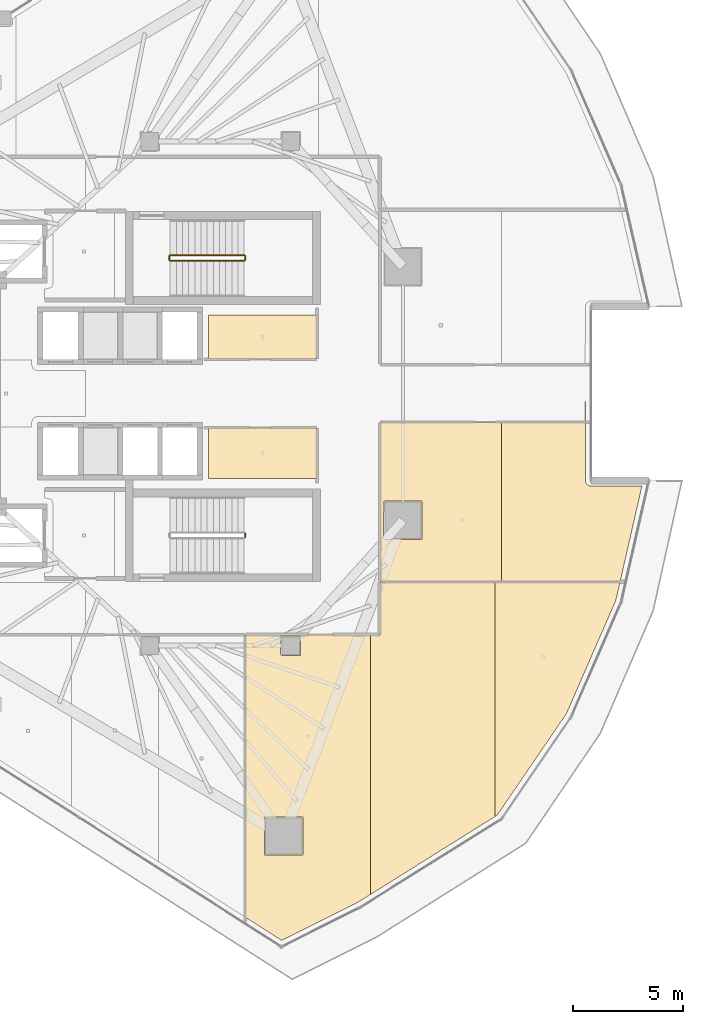
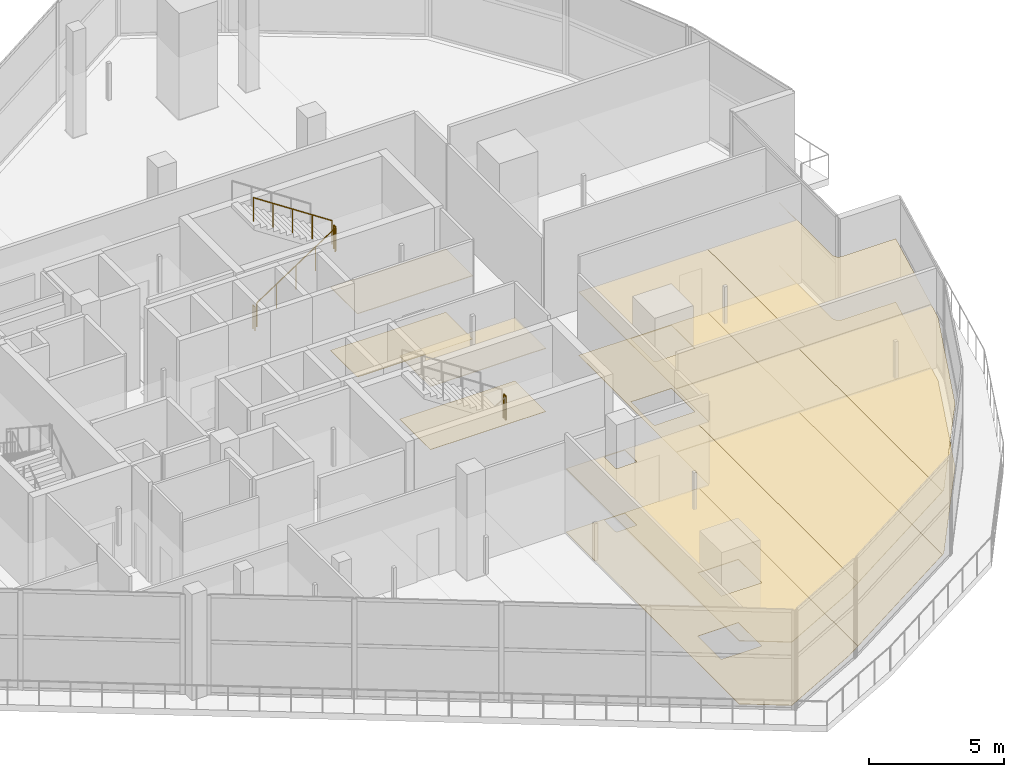
# One storey, part 34 of 36: 14 coverings, 5 railings.
"""IFC4 building model written with IfcOpenShell, lengths in metres."""

from ifc_helpers import new_model, si_unit, direction, frame, origin, origin_2d, place, context, subcontext, project, spatial, polyline, circle, outline, extrude, material, layer, layer_set, type_object, element, save


model = new_model("IFC4")

# Units and contexts
model_context = context("Model", 3, precision=1e-05, world=origin(), true_north=direction((0.0, 1.0)))
body_context = subcontext(model_context, "Body", "Model", "MODEL_VIEW")
ifc_project = project(units=[si_unit("LENGTHUNIT", "METRE"), si_unit("AREAUNIT", "SQUARE_METRE"), si_unit("VOLUMEUNIT", "CUBIC_METRE"), si_unit("PLANEANGLEUNIT", "RADIAN"), si_unit("MASSUNIT", "GRAM", prefix="KILO")], contexts=[model_context])

# Site, building, storey
site_placement = place(None, origin())
site = spatial("IfcSite", under=ifc_project, at=site_placement, CompositionType="ELEMENT")
building_placement = place(site_placement, origin())
building = spatial("IfcBuilding", under=site, at=building_placement, Name="Qorvath Tower", CompositionType="ELEMENT")
storey_placement = place(building_placement, frame((0.0, 0.0, 255.0)))
storey = spatial("IfcBuildingStorey", under=building, at=storey_placement, Name="L59", CompositionType="ELEMENT", Elevation=255.0)

# Coverings
ifc_material_1 = material(Name="Acoustic mineral fibre ceiling tile", Category="gypsum")
ifc_layer_1 = layer(ifc_material_1, 0.030029296875)
ifc_layer_set_1 = layer_set([ifc_layer_1], Name="COV-CEIL")
covering_type_1 = type_object("IfcCoveringType", Name="COV-CEIL", PredefinedType="CEILING", material=ifc_layer_set_1)
covering_1_placement = place(storey_placement, frame((0.0, 0.0, 2.85009765625)))
element("IfcCovering", 1, at=covering_1_placement, inside=storey, type_object=covering_type_1, Name="L59 Suspended Acoustic Ceiling 003", PredefinedType="CEILING", context=body_context, shape_type="SweptSolid", body=[
    extrude(outline(polyline([(-16.0048828125, 3.56005859375), (-20.93994140625, 3.56005859375), (-20.93994140625, 1.56494140625), (-16.0048828125, 1.56494140625), (-16.0048828125, 3.56005859375)])), origin(), (0.0, 0.0, 1.0), 0.030029296875),
])
covering_2_placement = place(storey_placement, frame((0.0, 0.0, 2.85009765625)))
element("IfcCovering", 2, at=covering_2_placement, inside=storey, type_object=covering_type_1, Name="L59 Suspended Acoustic Ceiling 004", PredefinedType="CEILING", context=body_context, shape_type="SweptSolid", body=[
    extrude(outline(polyline([(-20.93994140625, -1.56494140625), (-20.93994140625, -3.85009765625), (-16.0048828125, -3.85009765625), (-16.0048828125, -1.56494140625), (-20.93994140625, -1.56494140625)])), origin(), (0.0, 0.0, 1.0), 0.030029296875),
])
covering_3_placement = place(storey_placement, frame((0.0, 0.0, 2.85009765625)))
element("IfcCovering", 3, at=covering_3_placement, inside=storey, type_object=covering_type_1, Name="L59 Suspended Acoustic Ceiling 022", PredefinedType="CEILING", context=body_context, shape_type="SweptSolid", body=[
    extrude(outline(polyline([(-17.605224609375, -24.845458984375), (-14.154296875, -23.1201171875), (-13.576171875, -22.75830078125), (-13.576171875, -10.962890625), (-19.247802734375, -10.962890625), (-19.247802734375, -23.795654296875), (-17.605224609375, -24.845458984375)]), holes=[polyline([(-18.3828125, -20.968994140625), (-18.3828125, -19.234130859375), (-16.648193359375, -19.234130859375), (-16.648193359375, -20.968994140625), (-18.3828125, -20.968994140625)]), polyline([(-17.659912109375, -11.85009765625), (-17.642333984375, -11.007568359375), (-16.757568359375, -11.007568359375), (-16.757568359375, -11.892333984375), (-17.60009765625, -11.909912109375), (-17.659912109375, -11.85009765625)])]), origin(), (0.0, 0.0, 1.0), 0.030029296875),
])
covering_4_placement = place(storey_placement, frame((0.0, 0.0, 2.85009765625)))
element("IfcCovering", 4, at=covering_4_placement, inside=storey, type_object=covering_type_1, Name="L59 Suspended Acoustic Ceiling 023", PredefinedType="CEILING", context=body_context, shape_type="SweptSolid", body=[
    extrude(outline(polyline([(-13.576171875, -10.962890625), (-13.576171875, -22.75830078125), (-7.904541015625, -19.20947265625), (-7.904541015625, -8.554931640625), (-13.136962890625, -8.554931640625), (-13.14208984375, -10.962890625), (-13.576171875, -10.962890625)])), origin(), (0.0, 0.0, 1.0), 0.030029296875),
])
covering_5_placement = place(storey_placement, frame((0.0, 0.0, 2.85009765625)))
element("IfcCovering", 5, at=covering_5_placement, inside=storey, type_object=covering_type_1, Name="L59 Suspended Acoustic Ceiling 024", PredefinedType="CEILING", context=body_context, shape_type="SweptSolid", body=[
    extrude(outline(polyline([(-7.904541015625, -8.554931640625), (-7.904541015625, -19.20947265625), (-7.81103515625, -19.15087890625), (-4.6669921875, -14.536865234375), (-2.423583984375, -9.391845703125), (-2.23291015625, -8.554931640625), (-7.904541015625, -8.554931640625)])), origin(), (0.0, 0.0, 1.0), 0.030029296875),
])
covering_6_placement = place(storey_placement, frame((0.0, 0.0, 2.85009765625)))
element("IfcCovering", 6, at=covering_6_placement, inside=storey, type_object=covering_type_1, Name="L59 Suspended Acoustic Ceiling 025", PredefinedType="CEILING", context=body_context, shape_type="SweptSolid", body=[
    extrude(outline(polyline([(-7.620361328125, -8.537109375), (-7.620361328125, -1.31298828125), (-13.136962890625, -1.31298828125), (-13.136962890625, -8.537109375), (-7.620361328125, -8.537109375)]), holes=[polyline([(-12.981689453125, -6.5830078125), (-12.964111328125, -4.890380859375), (-11.2294921875, -4.890380859375), (-11.2294921875, -6.625244140625), (-12.921875, -6.642822265625), (-12.981689453125, -6.5830078125)])]), origin(), (0.0, 0.0, 1.0), 0.030029296875),
])
covering_7_placement = place(storey_placement, frame((0.0, 0.0, 2.85009765625)))
element("IfcCovering", 7, at=covering_7_placement, inside=storey, type_object=covering_type_1, Name="L59 Suspended Acoustic Ceiling 026", PredefinedType="CEILING", context=body_context, shape_type="SweptSolid", body=[
    extrude(outline(polyline([(-3.719970703125, -4.148681640625), (-3.80712890625, -4.00146484375), (-3.81103515625, -0.006103515625), (-3.8291015625, -1.31298828125), (-7.620361328125, -1.31298828125), (-7.620361328125, -8.537109375), (-2.228759765625, -8.537109375), (-1.241455078125, -4.207763671875), (-3.58154296875, -4.20654296875), (-3.719970703125, -4.148681640625)])), origin(), (0.0, 0.0, 1.0), 0.030029296875),
])
ifc_material_2 = material(Name="Low-VOC modular carpet tile", Category="textile")
ifc_layer_2 = layer(ifc_material_2, 0.014892578125)
ifc_layer_set_2 = layer_set([ifc_layer_2], Name="COV-FLOOR-CPT")
covering_type_2 = type_object("IfcCoveringType", Name="COV-FLOOR-CPT", PredefinedType="FLOORING", material=ifc_layer_set_2)
covering_8_placement = place(storey_placement, origin())
element("IfcCovering", 8, at=covering_8_placement, inside=storey, type_object=covering_type_2, Name="L59 Floor Finish 003", PredefinedType="FLOORING", context=body_context, shape_type="SweptSolid", body=[
    extrude(outline(polyline([(-16.0048828125, 3.56005859375), (-20.93994140625, 3.56005859375), (-20.93994140625, 1.56494140625), (-16.0048828125, 1.56494140625), (-16.0048828125, 3.56005859375)])), origin(), (0.0, 0.0, 1.0), 0.014892578125),
])
covering_9_placement = place(storey_placement, origin())
element("IfcCovering", 9, at=covering_9_placement, inside=storey, type_object=covering_type_2, Name="L59 Floor Finish 004", PredefinedType="FLOORING", context=body_context, shape_type="SweptSolid", body=[
    extrude(outline(polyline([(-20.93994140625, -1.56494140625), (-20.93994140625, -3.85009765625), (-16.0048828125, -3.85009765625), (-16.0048828125, -1.56494140625), (-20.93994140625, -1.56494140625)])), origin(), (0.0, 0.0, 1.0), 0.014892578125),
])
covering_10_placement = place(storey_placement, origin())
element("IfcCovering", 10, at=covering_10_placement, inside=storey, type_object=covering_type_2, Name="L59 Floor Finish 022", PredefinedType="FLOORING", context=body_context, shape_type="SweptSolid", body=[
    extrude(outline(polyline([(-17.605224609375, -24.845458984375), (-14.154296875, -23.1201171875), (-13.576171875, -22.75830078125), (-13.576171875, -10.962890625), (-19.247802734375, -10.962890625), (-19.247802734375, -23.795654296875), (-17.605224609375, -24.845458984375)]), holes=[polyline([(-18.3828125, -20.968994140625), (-18.3828125, -19.234130859375), (-16.648193359375, -19.234130859375), (-16.648193359375, -20.968994140625), (-18.3828125, -20.968994140625)]), polyline([(-17.659912109375, -11.85009765625), (-17.642333984375, -11.007568359375), (-16.757568359375, -11.007568359375), (-16.757568359375, -11.892333984375), (-17.60009765625, -11.909912109375), (-17.659912109375, -11.85009765625)])]), origin(), (0.0, 0.0, 1.0), 0.014892578125),
])
covering_11_placement = place(storey_placement, origin())
element("IfcCovering", 11, at=covering_11_placement, inside=storey, type_object=covering_type_2, Name="L59 Floor Finish 023", PredefinedType="FLOORING", context=body_context, shape_type="SweptSolid", body=[
    extrude(outline(polyline([(-13.576171875, -10.962890625), (-13.576171875, -22.75830078125), (-7.904541015625, -19.20947265625), (-7.904541015625, -8.554931640625), (-13.136962890625, -8.554931640625), (-13.14208984375, -10.962890625), (-13.576171875, -10.962890625)])), origin(), (0.0, 0.0, 1.0), 0.014892578125),
])
covering_12_placement = place(storey_placement, origin())
element("IfcCovering", 12, at=covering_12_placement, inside=storey, type_object=covering_type_2, Name="L59 Floor Finish 024", PredefinedType="FLOORING", context=body_context, shape_type="SweptSolid", body=[
    extrude(outline(polyline([(-7.904541015625, -8.554931640625), (-7.904541015625, -19.20947265625), (-7.81103515625, -19.15087890625), (-4.6669921875, -14.536865234375), (-2.423583984375, -9.391845703125), (-2.23291015625, -8.554931640625), (-7.904541015625, -8.554931640625)])), origin(), (0.0, 0.0, 1.0), 0.014892578125),
])
covering_13_placement = place(storey_placement, origin())
element("IfcCovering", 13, at=covering_13_placement, inside=storey, type_object=covering_type_2, Name="L59 Floor Finish 025", PredefinedType="FLOORING", context=body_context, shape_type="SweptSolid", body=[
    extrude(outline(polyline([(-7.620361328125, -8.537109375), (-7.620361328125, -1.31298828125), (-13.136962890625, -1.31298828125), (-13.136962890625, -8.537109375), (-7.620361328125, -8.537109375)]), holes=[polyline([(-12.981689453125, -6.5830078125), (-12.964111328125, -4.890380859375), (-11.2294921875, -4.890380859375), (-11.2294921875, -6.625244140625), (-12.921875, -6.642822265625), (-12.981689453125, -6.5830078125)])]), origin(), (0.0, 0.0, 1.0), 0.014892578125),
])
covering_14_placement = place(storey_placement, origin())
element("IfcCovering", 14, at=covering_14_placement, inside=storey, type_object=covering_type_2, Name="L59 Floor Finish 026", PredefinedType="FLOORING", context=body_context, shape_type="SweptSolid", body=[
    extrude(outline(polyline([(-3.719970703125, -4.148681640625), (-3.80712890625, -4.00146484375), (-3.81103515625, -0.006103515625), (-3.8291015625, -1.31298828125), (-7.620361328125, -1.31298828125), (-7.620361328125, -8.537109375), (-2.228759765625, -8.537109375), (-1.241455078125, -4.207763671875), (-3.58154296875, -4.20654296875), (-3.719970703125, -4.148681640625)])), origin(), (0.0, 0.0, 1.0), 0.014892578125),
])

# Railings
ifc_material_3 = material(Name="Painted galvanised steel", Category="steel")
railing_type = type_object("IfcRailingType", Name="RL-STR-GRD", PredefinedType="GUARDRAIL", material=ifc_material_3)
railing_1_placement = place(storey_placement, frame((-22.669921875, 6.030029296875, 0.1845703125)))
element("IfcRailing", 15, at=railing_1_placement, inside=storey, type_object=railing_type, Name="L59 TS1 stair guard 1", PredefinedType="GUARDRAIL", context=body_context, shape_type="SweptSolid", body=[
    extrude(circle(Radius=0.02392578125, at=origin_2d()), frame((0.0, 0.0, 1.076171875), z_axis=(0.834858096282, 0.0, 0.550465220583), x_axis=(0.0, 1.0, 0.0)), (0.0, 0.0, 1.0), 4.0244140625),
    extrude(circle(Radius=0.02099609375, at=origin_2d()), origin(), (0.0, 0.0, 1.0), 1.052001953125),
    extrude(circle(Radius=0.02099609375, at=origin_2d()), frame((0.83984375, 0.0, 0.5537109375)), (0.0, 0.0, 1.0), 1.052001953125),
    extrude(circle(Radius=0.02099609375, at=origin_2d()), frame((1.679931640625, 0.0, 1.107666015625)), (0.0, 0.0, 1.0), 1.052001953125),
    extrude(circle(Radius=0.02099609375, at=origin_2d()), frame((2.52001953125, 0.0, 1.66162109375)), (0.0, 0.0, 1.0), 1.052001953125),
    extrude(circle(Radius=0.02099609375, at=origin_2d()), frame((3.35986328125, 0.0, 2.21533203125)), (0.0, 0.0, 1.0), 1.052001953125),
])
railing_2_placement = place(storey_placement, frame((-19.260009765625, 6.080078125, 2.39990234375)))
element("IfcRailing", 16, at=railing_2_placement, inside=storey, type_object=railing_type, Name="L59 TS1 stair guard 2", PredefinedType="GUARDRAIL", context=body_context, shape_type="SweptSolid", body=[
    extrude(circle(Radius=0.02392578125, at=origin_2d()), frame((0.0, 0.0, 1.076171875), z_axis=(0.0, 1.0, 0.0), x_axis=(-1.0, 0.0, 0.0)), (0.0, 0.0, 1.0), 0.14990234375),
    extrude(circle(Radius=0.02099609375, at=origin_2d()), origin(), (0.0, 0.0, 1.0), 1.052001953125),
    extrude(circle(Radius=0.02099609375, at=origin_2d()), frame((0.0, 0.14990234375, 0.0)), (0.0, 0.0, 1.0), 1.052001953125),
])
railing_3_placement = place(storey_placement, frame((-19.31005859375, 6.280029296875, 2.584716796875)))
element("IfcRailing", 17, at=railing_3_placement, inside=storey, type_object=railing_type, Name="L59 TS1 stair guard 3", PredefinedType="GUARDRAIL", context=body_context, shape_type="SweptSolid", body=[
    extrude(circle(Radius=0.02392578125, at=origin_2d()), frame((0.0, 0.0, 1.076171875), z_axis=(-0.834858096282, 0.0, 0.550465220583), x_axis=(0.0, -1.0, 0.0)), (0.0, 0.0, 1.0), 4.0244140625),
    extrude(circle(Radius=0.02099609375, at=origin_2d()), origin(), (0.0, 0.0, 1.0), 1.052001953125),
    extrude(circle(Radius=0.02099609375, at=origin_2d()), frame((-0.83984375, 0.0, 0.5537109375)), (0.0, 0.0, 1.0), 1.052001953125),
    extrude(circle(Radius=0.02099609375, at=origin_2d()), frame((-1.679931640625, 0.0, 1.107666015625)), (0.0, 0.0, 1.0), 1.052001953125),
    extrude(circle(Radius=0.02099609375, at=origin_2d()), frame((-2.52001953125, 0.0, 1.66162109375)), (0.0, 0.0, 1.0), 1.052001953125),
    extrude(circle(Radius=0.02099609375, at=origin_2d()), frame((-3.35986328125, 0.0, 2.21533203125)), (0.0, 0.0, 1.0), 1.052001953125),
])
for number, where, name in (
    (18, (-22.719970703125, 6.080078125, 0.0), "L59 TS1 stair guard 4"),
    (19, (-19.260009765625, -6.52001953125, 2.39990234375), "L59 TS2 stair guard 2"),
):
    element("IfcRailing", number, at=place(storey_placement, frame(where)), inside=storey, type_object=railing_type, Name=name, PredefinedType="GUARDRAIL", context=body_context, shape_type="SweptSolid", body=[
        extrude(circle(Radius=0.02392578125, at=origin_2d()), frame((0.0, 0.0, 1.076171875), z_axis=(0.0, 1.0, 0.0), x_axis=(-1.0, 0.0, 0.0)), (0.0, 0.0, 1.0), 0.14990234375),
        extrude(circle(Radius=0.02099609375, at=origin_2d()), origin(), (0.0, 0.0, 1.0), 1.052001953125),
        extrude(circle(Radius=0.02099609375, at=origin_2d()), frame((0.0, 0.14990234375, 0.0)), (0.0, 0.0, 1.0), 1.052001953125),
    ])

save(model, "model.ifc")
